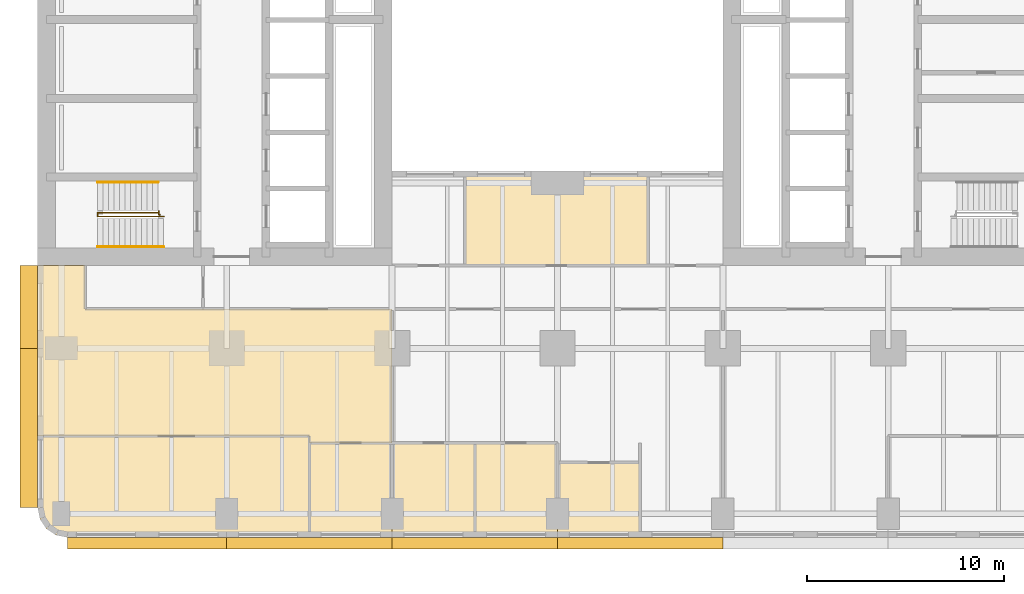
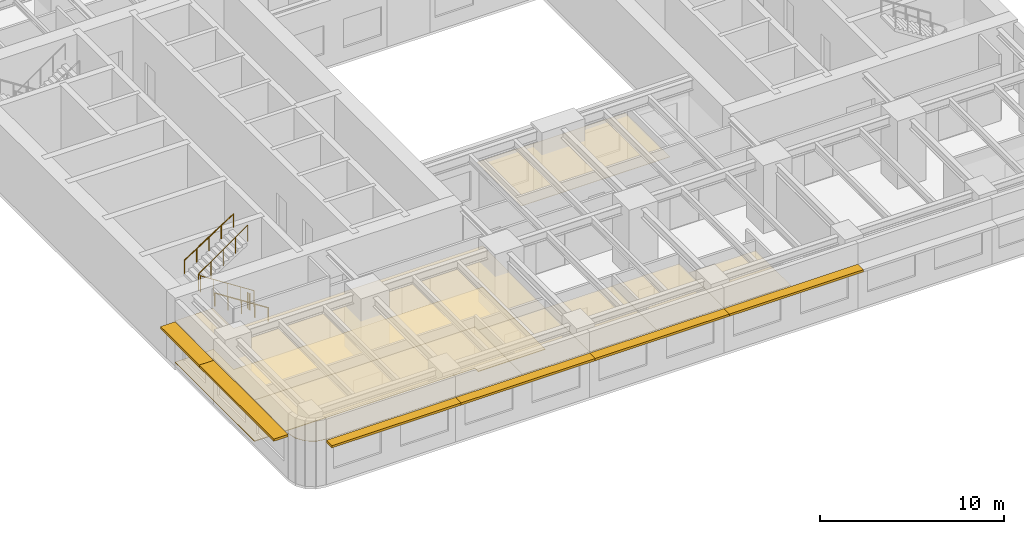
# One storey, part 9 of 12: 8 coverings, 6 shading devices, 4 railings.
"""IFC4 building model written with IfcOpenShell, lengths in metres."""

from ifc_helpers import new_model, si_unit, direction, frame, origin, origin_2d, place, context, subcontext, project, spatial, polyline, rectangle, circle, outline, extrude, material, layer, layer_set, type_object, element, save


model = new_model("IFC4")

# Units and contexts
model_context = context("Model", 3, precision=1e-05, world=origin(), true_north=direction((0.0, 1.0)))
body_context = subcontext(model_context, "Body", "Model", "MODEL_VIEW")
ifc_project = project(units=[si_unit("LENGTHUNIT", "METRE"), si_unit("AREAUNIT", "SQUARE_METRE"), si_unit("VOLUMEUNIT", "CUBIC_METRE"), si_unit("PLANEANGLEUNIT", "RADIAN"), si_unit("MASSUNIT", "GRAM", prefix="KILO")], contexts=[model_context])

# Site, building, storey
site_placement = place(None, origin())
site = spatial("IfcSite", under=ifc_project, at=site_placement, CompositionType="ELEMENT")
building_placement = place(site_placement, origin())
building = spatial("IfcBuilding", under=site, at=building_placement, Name="Claustro Exchange Tower", CompositionType="ELEMENT")
storey_placement = place(building_placement, frame((0.0, 0.0, 81.89990234375)))
storey = spatial("IfcBuildingStorey", under=building, at=storey_placement, Name="L18", CompositionType="ELEMENT", Elevation=81.89990234375)

# Coverings
ifc_material_1 = material(Name="Gypsum board ceiling", Category="gypsum board")
ifc_layer_1 = layer(ifc_material_1, 0.02490234375)
ifc_layer_set_1 = layer_set([ifc_layer_1], Name="Gypsum board ceiling")
covering_type_1 = type_object("IfcCoveringType", Name="CL2 plasterboard ceiling", PredefinedType="CEILING", material=ifc_layer_set_1)
covering_1_placement = place(storey_placement, frame((0.0, 0.0, 3.0)))
element("IfcCovering", 1, at=covering_1_placement, inside=storey, type_object=covering_type_1, Name="Ceiling CL2 L18-01", PredefinedType="CEILING", context=body_context, shape_type="SweptSolid", body=[
    extrude(outline(polyline([(25.199951171875, -1.199951171875), (29.39990234375, -1.199951171875), (29.39990234375, 2.60009765625), (25.199951171875, 2.60009765625), (25.199951171875, -1.199951171875)])), origin(), (0.0, 0.0, 1.0), 0.025146484375),
])
covering_2_placement = place(storey_placement, frame((0.0, 0.0, 3.0)))
element("IfcCovering", 2, at=covering_2_placement, inside=storey, type_object=covering_type_1, Name="Ceiling CL2 L18-02", PredefinedType="CEILING", context=body_context, shape_type="SweptSolid", body=[
    extrude(outline(polyline([(12.60009765625, -1.199951171875), (16.800048828125, -1.199951171875), (16.800048828125, 3.60009765625), (12.60009765625, 3.60009765625), (12.60009765625, -1.199951171875)])), origin(), (0.0, 0.0, 1.0), 0.025146484375),
])
covering_3_placement = place(storey_placement, frame((0.0, 0.0, 3.0)))
element("IfcCovering", 3, at=covering_3_placement, inside=storey, type_object=covering_type_1, Name="Ceiling CL2 L18-03", PredefinedType="CEILING", context=body_context, shape_type="SweptSolid", body=[
    extrude(outline(polyline([(16.800048828125, -1.199951171875), (21.0, -1.199951171875), (21.0, 3.60009765625), (16.800048828125, 3.60009765625), (16.800048828125, -1.199951171875)])), origin(), (0.0, 0.0, 1.0), 0.025146484375),
])
covering_4_placement = place(storey_placement, frame((0.0, 0.0, 3.0)))
element("IfcCovering", 4, at=covering_4_placement, inside=storey, type_object=covering_type_1, Name="Ceiling CL2 L18-04", PredefinedType="CEILING", context=body_context, shape_type="SweptSolid", body=[
    extrude(outline(polyline([(21.0, -1.199951171875), (25.199951171875, -1.199951171875), (25.199951171875, 3.60009765625), (21.0, 3.60009765625), (21.0, -1.199951171875)])), origin(), (0.0, 0.0, 1.0), 0.025146484375),
])
covering_5_placement = place(storey_placement, frame((0.0, 0.0, 3.0)))
element("IfcCovering", 5, at=covering_5_placement, inside=storey, type_object=covering_type_1, Name="Ceiling CL2 L18-05", PredefinedType="CEILING", context=body_context, shape_type="SweptSolid", body=[
    extrude(outline(polyline([(-1.085693359375, -0.27392578125), (-0.7607421875, -0.7607421875), (-0.27392578125, -1.085693359375), (0.300048828125, -1.199951171875), (12.60009765625, -1.199951171875), (12.60009765625, 3.949951171875), (-1.199951171875, 3.949951171875), (-1.199951171875, 0.300048828125), (-1.085693359375, -0.27392578125)])), origin(), (0.0, 0.0, 1.0), 0.025146484375),
])
covering_6_placement = place(storey_placement, frame((0.0, 0.0, 3.0)))
element("IfcCovering", 6, at=covering_6_placement, inside=storey, type_object=covering_type_1, Name="Ceiling CL2 L18-09", PredefinedType="CEILING", context=body_context, shape_type="SweptSolid", body=[
    extrude(outline(polyline([(-1.199951171875, 12.60009765625), (-1.199951171875, 3.949951171875), (12.60009765625, 3.949951171875), (12.60009765625, 3.60009765625), (16.800048828125, 3.60009765625), (16.800048828125, 10.39990234375), (7.199951171875, 10.39990234375), (1.199951171875, 10.39990234375), (1.199951171875, 12.60009765625), (-1.199951171875, 12.60009765625)])), origin(), (0.0, 0.0, 1.0), 0.025146484375),
])
covering_7_placement = place(storey_placement, frame((0.0, 0.0, 3.0)))
element("IfcCovering", 7, at=covering_7_placement, inside=storey, type_object=covering_type_1, Name="Ceiling CL2 L18-13", PredefinedType="CEILING", context=body_context, shape_type="SweptSolid", body=[
    extrude(outline(polyline([(29.800048828125, 17.39990234375), (20.5, 17.39990234375), (20.5, 12.60009765625), (29.800048828125, 12.60009765625), (29.800048828125, 17.39990234375)])), origin(), (0.0, 0.0, 1.0), 0.025146484375),
])

# Railings
ifc_material_2 = material(Name="Steel balustrade, painted", Category="steel")
railing_type_1 = type_object("IfcRailingType", Name="GR2 1100 steel stair guard", PredefinedType="GUARDRAIL", material=ifc_material_2)
railing_1_placement = place(storey_placement, frame((5.199951171875, 15.10009765625, 0.18017578125)))
element("IfcRailing", 8, at=railing_1_placement, inside=storey, type_object=railing_type_1, Name="Stair well guard GR2 stair STWA L18", PredefinedType="GUARDRAIL", context=body_context, shape_type="SweptSolid", body=[
    extrude(circle(Radius=0.02392578125, at=origin_2d()), frame((0.0, 0.0, 1.076171875), z_axis=(-0.841178475377, 0.0, 0.540757591313), x_axis=(0.0, -1.0, 0.0)), (0.0, 0.0, 1.0), 3.994140625),
    extrude(circle(Radius=0.02392578125, at=origin_2d()), frame((-3.35986328125, 0.0, 3.23583984375), z_axis=(0.0, 1.0, 0.0), x_axis=(-1.0, 0.0, 0.0)), (0.0, 0.0, 1.0), 0.199951171875),
    extrude(circle(Radius=0.02392578125, at=origin_2d()), frame((-3.35986328125, 0.199951171875, 3.23583984375), z_axis=(0.818728512145, 0.0, 0.574180828137), x_axis=(0.0, 1.0, 0.0)), (0.0, 0.0, 1.0), 3.76171875),
    extrude(circle(Radius=0.02099609375, at=origin_2d()), origin(), (0.0, 0.0, 1.0), 1.052001953125),
    extrude(circle(Radius=0.02099609375, at=origin_2d()), frame((-0.83984375, 0.0, 0.5400390625)), (0.0, 0.0, 1.0), 1.052001953125),
    extrude(circle(Radius=0.02099609375, at=origin_2d()), frame((-1.679931640625, 0.0, 1.080078125)), (0.0, 0.0, 1.0), 1.052001953125),
    extrude(circle(Radius=0.02099609375, at=origin_2d()), frame((-2.52001953125, 0.0, 1.619873046875)), (0.0, 0.0, 1.0), 1.052001953125),
    extrude(circle(Radius=0.02099609375, at=origin_2d()), frame((-3.35986328125, 0.0, 2.159912109375)), (0.0, 0.0, 1.0), 1.052001953125),
    extrude(circle(Radius=0.02099609375, at=origin_2d()), frame((-3.35986328125, 0.199951171875, 2.159912109375)), (0.0, 0.0, 1.0), 1.052001953125),
    extrude(circle(Radius=0.02099609375, at=origin_2d()), frame((-2.58984375, 0.199951171875, 2.699951171875)), (0.0, 0.0, 1.0), 1.052001953125),
    extrude(circle(Radius=0.02099609375, at=origin_2d()), frame((-1.81982421875, 0.199951171875, 3.23974609375)), (0.0, 0.0, 1.0), 1.052001953125),
    extrude(circle(Radius=0.02099609375, at=origin_2d()), frame((-1.050048828125, 0.199951171875, 3.77978515625)), (0.0, 0.0, 1.0), 1.052001953125),
    extrude(circle(Radius=0.02099609375, at=origin_2d()), frame((-0.280029296875, 0.199951171875, 4.31982421875)), (0.0, 0.0, 1.0), 1.052001953125),
])
railing_2_placement = place(storey_placement, frame((5.0, 15.169921875, 0.0)))
element("IfcRailing", 9, at=railing_2_placement, inside=storey, type_object=railing_type_1, Name="Stair guard GR2 STWA L18", PredefinedType="GUARDRAIL", context=body_context, shape_type="SweptSolid", body=[
    extrude(circle(Radius=0.02392578125, at=origin_2d()), frame((0.0, 0.0, 1.076171875), z_axis=(0.0, 1.0, 0.0), x_axis=(-1.0, 0.0, 0.0)), (0.0, 0.0, 1.0), 0.030029296875),
    extrude(circle(Radius=0.02392578125, at=origin_2d()), frame((0.0, 0.030029296875, 1.076171875), z_axis=(-1.0, 0.0, 0.0), x_axis=(0.0, -1.0, 0.0)), (0.0, 0.0, 1.0), 0.054931640625),
    extrude(circle(Radius=0.02392578125, at=origin_2d()), frame((-0.054931640625, 0.030029296875, 1.076171875), z_axis=(0.0, 1.0, 0.0), x_axis=(-1.0, 0.0, 0.0)), (0.0, 0.0, 1.0), 0.179931640625),
    extrude(circle(Radius=0.02099609375, at=origin_2d()), origin(), (0.0, 0.0, 1.0), 1.052001953125),
    extrude(circle(Radius=0.02099609375, at=origin_2d()), frame((0.0, 0.030029296875, 0.0)), (0.0, 0.0, 1.0), 1.052001953125),
    extrude(circle(Radius=0.02099609375, at=origin_2d()), frame((-0.054931640625, 0.030029296875, 0.0)), (0.0, 0.0, 1.0), 1.052001953125),
    extrude(circle(Radius=0.02099609375, at=origin_2d()), frame((-0.054931640625, 0.2099609375, 0.0)), (0.0, 0.0, 1.0), 1.052001953125),
])
ifc_material_3 = material(Name="Stainless steel tube", Category="steel")
railing_type_2 = type_object("IfcRailingType", Name="HR1 900 stair handrail", PredefinedType="HANDRAIL", material=ifc_material_3)
railing_3_placement = place(storey_placement, frame((5.199951171875, 13.56005859375, 0.18017578125)))
element("IfcRailing", 10, at=railing_3_placement, inside=storey, type_object=railing_type_2, Name="Handrail HR1 stair STWA L18", PredefinedType="HANDRAIL", context=body_context, shape_type="SweptSolid", body=[
    extrude(circle(Radius=0.02392578125, at=origin_2d()), frame((0.0, 0.0, 0.8759765625), z_axis=(-0.841178475377, 0.0, 0.540757591313), x_axis=(0.0, -1.0, 0.0)), (0.0, 0.0, 1.0), 3.994140625),
    extrude(circle(Radius=0.02099609375, at=origin_2d()), origin(), (0.0, 0.0, 1.0), 0.851806640625),
    extrude(circle(Radius=0.02099609375, at=origin_2d()), frame((-0.83984375, 0.0, 0.5400390625)), (0.0, 0.0, 1.0), 0.851806640625),
    extrude(circle(Radius=0.02099609375, at=origin_2d()), frame((-1.679931640625, 0.0, 1.080078125)), (0.0, 0.0, 1.0), 0.851806640625),
    extrude(circle(Radius=0.02099609375, at=origin_2d()), frame((-2.52001953125, 0.0, 1.619873046875)), (0.0, 0.0, 1.0), 0.851806640625),
    extrude(circle(Radius=0.02099609375, at=origin_2d()), frame((-3.35986328125, 0.0, 2.159912109375)), (0.0, 0.0, 1.0), 0.851806640625),
])
railing_4_placement = place(storey_placement, frame((1.840087890625, 16.840087890625, 2.52001953125)))
element("IfcRailing", 11, at=railing_4_placement, inside=storey, type_object=railing_type_2, Name="Handrail HR1 stair STWA L18", PredefinedType="HANDRAIL", context=body_context, shape_type="SweptSolid", body=[
    extrude(circle(Radius=0.02392578125, at=origin_2d()), frame((0.0, 0.0, 0.8759765625), z_axis=(0.841167642724, 0.0, 0.540774441735), x_axis=(0.0, 1.0, 0.0)), (0.0, 0.0, 1.0), 3.661376953125),
    extrude(circle(Radius=0.02099609375, at=origin_2d()), origin(), (0.0, 0.0, 1.0), 0.851806640625),
    extrude(circle(Radius=0.02099609375, at=origin_2d()), frame((0.77001953125, 0.0, 0.4951171875)), (0.0, 0.0, 1.0), 0.851806640625),
    extrude(circle(Radius=0.02099609375, at=origin_2d()), frame((1.5400390625, 0.0, 0.989990234375)), (0.0, 0.0, 1.0), 0.851806640625),
    extrude(circle(Radius=0.02099609375, at=origin_2d()), frame((2.309814453125, 0.0, 1.48486328125)), (0.0, 0.0, 1.0), 0.851806640625),
    extrude(circle(Radius=0.02099609375, at=origin_2d()), frame((3.079833984375, 0.0, 1.97998046875)), (0.0, 0.0, 1.0), 0.851806640625),
])

# Covering
ifc_material_4 = material(Name="Steel-encased raised floor panels on pedestals", Category="steel")
ifc_layer_2 = layer(ifc_material_4, 0.0400390625)
ifc_layer_set_2 = layer_set([ifc_layer_2], Name="Steel-encased raised floor panels on pedestals")
covering_type_2 = type_object("IfcCoveringType", Name="RF1 300 raised access floor", PredefinedType="FLOORING", material=ifc_layer_set_2)
covering_8_placement = place(storey_placement, frame((0.0, 0.0, 0.260009765625)))
element("IfcCovering", 12, at=covering_8_placement, inside=storey, type_object=covering_type_2, Name="Raised access floor RF1 L18-09", PredefinedType="FLOORING", context=body_context, shape_type="SweptSolid", body=[
    extrude(outline(polyline([(-1.199951171875, 12.60009765625), (-1.199951171875, 3.949951171875), (12.60009765625, 3.949951171875), (12.60009765625, 3.60009765625), (16.800048828125, 3.60009765625), (16.800048828125, 10.39990234375), (7.199951171875, 10.39990234375), (1.199951171875, 10.39990234375), (1.199951171875, 12.60009765625), (-1.199951171875, 12.60009765625)])), origin(), (0.0, 0.0, 1.0), 0.0400390625),
])

# Shading devices
ifc_material_5 = material(Name="Concrete HA-40 (C40/50), precast, white cement, acid-etched", Category="concrete")
ifc_layer_3 = layer(ifc_material_5, 0.14990234375)
ifc_layer_set_3 = layer_set([ifc_layer_3], Name="Concrete HA-40 (C40/50), precast, white cement, acid-etched")
shading_device_type_1 = type_object("IfcShadingDeviceType", Name="SS1 600 precast concrete SUNSHADE", PredefinedType="SHUTTER", material=ifc_layer_set_3)
for number, where, z_axis, x_axis, name in (
    (13, (29.39990234375, -1.5, 2.800048828125), (0.0, 0.0, 1.0), (-1.0, 0.0, 0.0), "Precast SUNSHADE SS1 L18"),
    (14, (21.0, -1.5, 2.800048828125), (0.0, 0.0, 1.0), (-1.0, 0.0, 0.0), "Precast SUNSHADE SS1 L18"),
    (15, (12.60009765625, -1.5, 2.800048828125), (0.0, 0.0, 1.0), (-1.0, 0.0, 0.0), "Precast SUNSHADE SS1 L18"),
):
    element("IfcShadingDevice", number, at=place(storey_placement, frame(where, z_axis=z_axis, x_axis=x_axis)), inside=storey, type_object=shading_device_type_1, Name=name, PredefinedType="SHUTTER", context=body_context, shape_type="SweptSolid", body=[
        extrude(rectangle(XDim=8.39990234375, YDim=0.60009765625, at=origin_2d()), origin(), (0.0, 0.0, 1.0), 0.14990234375),
    ])
shading_device_1_placement = place(storey_placement, frame((4.357421875, -1.5, 2.800048828125), z_axis=(0.0, 0.0, 1.0), x_axis=(-1.0, 0.0, 0.0)))
element("IfcShadingDevice", 16, at=shading_device_1_placement, inside=storey, type_object=shading_device_type_1, Name="Precast SUNSHADE SS1 L18", PredefinedType="SHUTTER", context=body_context, shape_type="SweptSolid", body=[
    extrude(rectangle(XDim=8.085205078125, YDim=0.60009765625, at=origin_2d()), origin(), (0.0, 0.0, 1.0), 0.14990234375),
])
ifc_material_6 = material(Name="Concrete HA-40 (C40/50), precast, white cement, acid-etched", Category="concrete")
ifc_layer_4 = layer(ifc_material_6, 0.14990234375)
ifc_layer_set_4 = layer_set([ifc_layer_4], Name="Concrete HA-40 (C40/50), precast, white cement, acid-etched")
shading_device_type_2 = type_object("IfcShadingDeviceType", Name="SS2 900 precast concrete SUNSHADE", PredefinedType="SHUTTER", material=ifc_layer_set_4)
shading_device_2_placement = place(storey_placement, frame((-1.64990234375, 4.357421875, 2.800048828125), z_axis=(0.0, 0.0, 1.0), x_axis=(0.0, 1.0, 0.0)))
element("IfcShadingDevice", 17, at=shading_device_2_placement, inside=storey, type_object=shading_device_type_2, Name="Precast SUNSHADE SS2 L18", PredefinedType="SHUTTER", context=body_context, shape_type="SweptSolid", body=[
    extrude(rectangle(XDim=8.085205078125, YDim=0.89990234375, at=origin_2d()), origin(), (0.0, 0.0, 1.0), 0.14990234375),
])
shading_device_3_placement = place(storey_placement, frame((-1.64990234375, 10.5, 2.800048828125), z_axis=(0.0, 0.0, 1.0), x_axis=(0.0, 1.0, 0.0)))
element("IfcShadingDevice", 18, at=shading_device_3_placement, inside=storey, type_object=shading_device_type_2, Name="Precast SUNSHADE SS2 L18", PredefinedType="SHUTTER", context=body_context, shape_type="SweptSolid", body=[
    extrude(rectangle(XDim=4.199951171875, YDim=0.89990234375, at=origin_2d()), origin(), (0.0, 0.0, 1.0), 0.14990234375),
])

save(model, "model.ifc")
